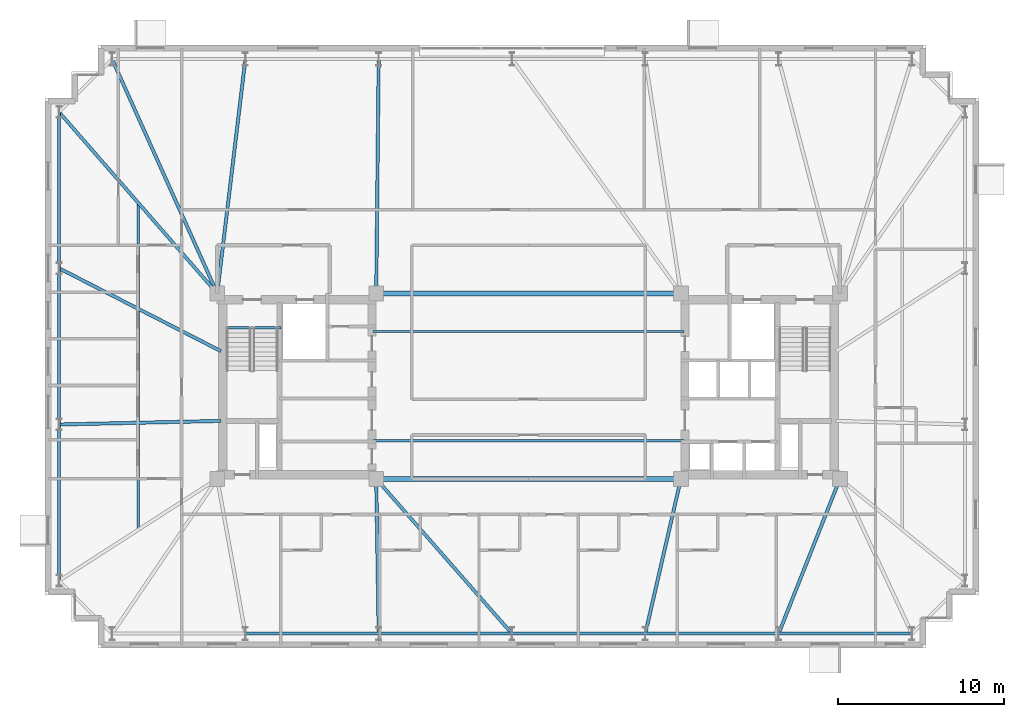
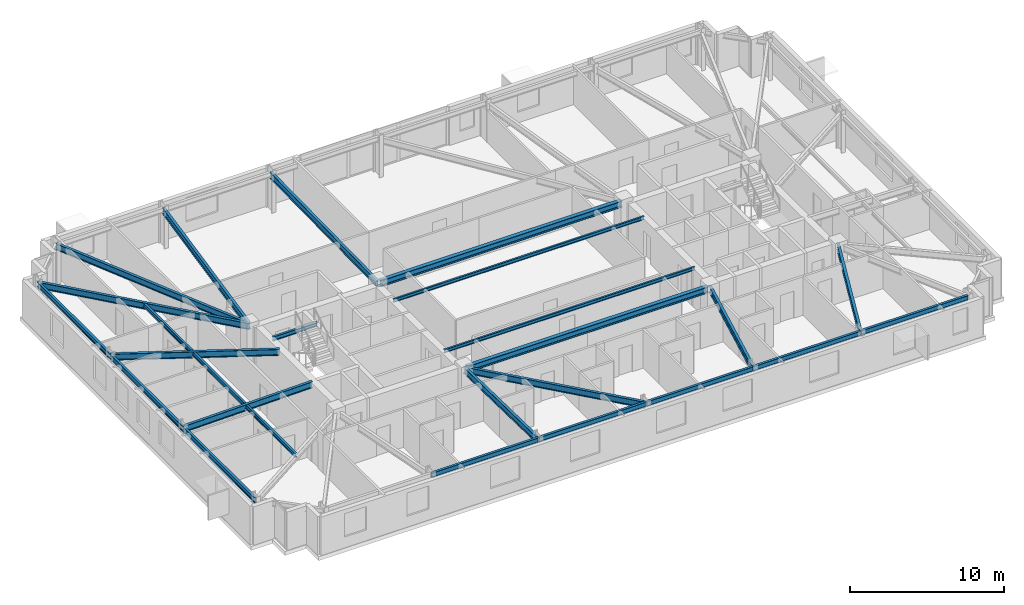
# One storey, part 4 of 18: 24 beams.
"""IFC4 building model written with IfcOpenShell, lengths in metres."""

import ifcopenshell
import ifcopenshell.guid

model = None  # the IFC model being written
_history = None  # IfcOwnerHistory: only IFC2X3 demands one
_inside = {}  # id of a spatial element -> (the spatial element, [elements in it])
_under = {}  # id of a project, library or spatial element -> (it, [spatial elements below it])
_declared = {}  # id of a project -> (the project, [libraries it declares])
_typed = {}  # id of a type object -> (the type object, [elements of that type])
_made_of = {}  # id of a material, layer set ... -> (it, [elements and type objects made of it])


def new_model(schema):
    """Start an empty IFC model of exactly this schema.

    Asked for "IFC4X3", IfcOpenShell would pick the latest addendum, in which some entities
    have other attributes; the version numbers below select the first issue.
    IFC2X3 requires an IfcOwnerHistory on every rooted entity: one is made here for all.
    """
    global model, _history
    if schema == "IFC4X3":
        model = ifcopenshell.file(schema_version=(4, 3, 0, 0))
    else:
        model = ifcopenshell.file(schema=schema)
    _inside.clear()
    _under.clear()
    _declared.clear()
    _typed.clear()
    _made_of.clear()
    _history = None
    if model.schema == "IFC2X3":
        org = make("IfcOrganization", Name="unknown")
        user = make(
            "IfcPersonAndOrganization",
            ThePerson=make("IfcPerson", FamilyName="unknown"),
            TheOrganization=org,
        )
        app = make(
            "IfcApplication",
            ApplicationDeveloper=org,
            Version="unknown",
            ApplicationFullName="unknown",
            ApplicationIdentifier="unknown",
        )
        _history = make(
            "IfcOwnerHistory",
            OwningUser=user,
            OwningApplication=app,
            ChangeAction="ADDED",
            CreationDate=0,
        )
    return model


def make(cls, **values):
    """One entity of the class cls with the attributes given. An attribute that is None is left unset."""
    return model.create_entity(
        cls, **{name: value for name, value in values.items() if value is not None}
    )


def rooted(cls, **values):
    """An entity with a GlobalId (a new one), such as an element, a storey or a relation."""
    return make(cls, GlobalId=ifcopenshell.guid.new(), OwnerHistory=_history, **values)


def si_unit(unit_type, name, prefix=None):
    """IfcSIUnit, for example si_unit("LENGTHUNIT", "METRE", prefix="MILLI")."""
    return make("IfcSIUnit", UnitType=unit_type, Prefix=prefix, Name=name)


def assignment(units):
    """IfcUnitAssignment: the units of a project."""
    return None if units is None else make("IfcUnitAssignment", Units=units)


def point(xyz):
    """IfcCartesianPoint."""
    return None if xyz is None else make("IfcCartesianPoint", Coordinates=xyz)


def direction(xyz):
    """IfcDirection."""
    return None if xyz is None else make("IfcDirection", DirectionRatios=xyz)


def frame(location, z_axis=None, x_axis=None):
    """IfcAxis2Placement3D, a coordinate frame: its origin and axes. An axis left out is left unset."""
    return make(
        "IfcAxis2Placement3D",
        Location=point(location),
        Axis=direction(z_axis),
        RefDirection=direction(x_axis),
    )


def frame_2d(location, x_axis=None):
    """IfcAxis2Placement2D, a coordinate frame in the plane: its origin and x axis."""
    return make(
        "IfcAxis2Placement2D", Location=point(location), RefDirection=direction(x_axis)
    )


def origin():
    """The frame at (0, 0, 0) with its axes left unset."""
    return frame((0.0, 0.0, 0.0))


def origin_2d():
    """The frame at (0, 0) in the plane with its x axis left unset."""
    return frame_2d((0.0, 0.0))


def place(relative_to, where):
    """IfcLocalPlacement: puts the frame where relative to a parent placement (None: the world)."""
    return make(
        "IfcLocalPlacement", PlacementRelTo=relative_to, RelativePlacement=where
    )


def context(
    kind, dimensions, precision=None, world=None, true_north=None, identifier=None
):
    """IfcGeometricRepresentationContext, for example the 3D "Model" context."""
    return make(
        "IfcGeometricRepresentationContext",
        ContextIdentifier=identifier,
        ContextType=kind,
        CoordinateSpaceDimension=dimensions,
        Precision=precision,
        WorldCoordinateSystem=world,
        TrueNorth=true_north,
    )


def subcontext(parent, identifier, kind, view, scale=None):
    """IfcGeometricRepresentationSubContext, for example "Body" below "Model"."""
    return make(
        "IfcGeometricRepresentationSubContext",
        ContextIdentifier=identifier,
        ContextType=kind,
        ParentContext=parent,
        TargetScale=scale,
        TargetView=view,
    )


def project(units=None, contexts=None):
    """IfcProject with its units and contexts."""
    return rooted(
        "IfcProject",
        Name="project",
        RepresentationContexts=contexts,
        UnitsInContext=assignment(units),
    )


def spatial(cls, under=None, at=None, **own):
    """A site, building, storey or space (cls), placed at a placement, below another one or the project."""
    s = rooted(cls, ObjectPlacement=at, **own)
    if under is not None:
        _under.setdefault(under.id(), (under, []))[1].append(s)
    return s


def profile(cls, at=None, kind="AREA", **sizes):
    """A parametric profile (cls). Its sizes go by their IFC names, for example OverallWidth=200.0."""
    return make(cls, ProfileType=kind, Position=at, **sizes)


def i_section(**sizes):
    """IfcIShapeProfileDef."""
    return profile("IfcIShapeProfileDef", **sizes)


def extrude(swept, where, along, depth):
    """IfcExtrudedAreaSolid: the profile swept, set in the frame where, extruded along a direction by depth."""
    return make(
        "IfcExtrudedAreaSolid",
        SweptArea=swept,
        Position=where,
        ExtrudedDirection=direction(along),
        Depth=depth,
    )


def shape(context_of_items, identifier, shape_type, items):
    """IfcShapeRepresentation: the items that make up one representation, for example the "Body"."""
    return make(
        "IfcShapeRepresentation",
        ContextOfItems=context_of_items,
        RepresentationIdentifier=identifier,
        RepresentationType=shape_type,
        Items=items,
    )


def material(Name=None, Category=None):
    """IfcMaterial."""
    return make("IfcMaterial", Name=Name, Category=Category)


def material_profile(
    of_material, cross_section, Name=None, Category=None, Priority=None
):
    """IfcMaterialProfile: a cross section and its material."""
    return make(
        "IfcMaterialProfile",
        Name=Name,
        Material=of_material,
        Profile=cross_section,
        Priority=Priority,
        Category=Category,
    )


def profile_set(profiles, Name=None, composite=None):
    """IfcMaterialProfileSet."""
    return make(
        "IfcMaterialProfileSet",
        Name=Name,
        MaterialProfiles=profiles,
        CompositeProfile=composite,
    )


def made_of(thing, what):
    """Note that an element or type object is made of a material, layer set ...; save() writes the relation."""
    if what is not None:
        _made_of.setdefault(what.id(), (what, []))[1].append(thing)
    return thing


def type_object(cls, material=None, **own):
    """A type object (cls), such as IfcWallType, which elements share."""
    return made_of(rooted(cls, **own), material)


def element(
    cls,
    number,
    at=None,
    inside=None,
    cuts=None,
    type_object=None,
    material=None,
    context=None,
    identifier="Body",
    shape_type=None,
    held_by="IfcProductDefinitionShape",
    body=None,
    shapes=None,
    **own,
):
    """One element of the class cls, such as IfcWall. Its Tag is "e" and its number.

    at: its placement. inside: the storey or other place that contains it. cuts: it is an
    opening in that element (IfcRelVoidsElement). A single representation is given by context,
    identifier, shape_type and body (its items); several are given by shapes. held_by: the class
    of the entity that holds the representations. save() writes the other relations.
    """
    e = rooted(cls, Tag="e%d" % number, ObjectPlacement=at, **own)
    if body is not None:
        shapes = [shape(context, identifier, shape_type, body)]
    if shapes is not None:
        e.Representation = make(held_by, Representations=shapes)
    if inside is not None:
        _inside.setdefault(inside.id(), (inside, []))[1].append(e)
    if cuts is not None:
        rooted(
            "IfcRelVoidsElement", RelatingBuildingElement=cuts, RelatedOpeningElement=e
        )
    if type_object is not None:
        _typed.setdefault(type_object.id(), (type_object, []))[1].append(e)
    return made_of(e, material)


def aggregate(whole, parts):
    """IfcRelAggregates: a whole, such as a stair, and the parts it consists of."""
    return rooted("IfcRelAggregates", RelatingObject=whole, RelatedObjects=parts)


def save(model, path):
    """Write the relations noted so far, then the file.

    IfcRelAggregates (storeys below a building ...), IfcRelContainedInSpatialStructure (elements
    in a storey), IfcRelDefinesByType, IfcRelAssociatesMaterial and IfcRelDeclares: one each for
    every whole, place, type object, material and project.
    """
    for whole, parts in _under.values():
        aggregate(whole, parts)
    for where, things in _inside.values():
        rooted(
            "IfcRelContainedInSpatialStructure",
            RelatedElements=things,
            RelatingStructure=where,
        )
    for kind, things in _typed.values():
        rooted("IfcRelDefinesByType", RelatedObjects=things, RelatingType=kind)
    for what, things in _made_of.values():
        rooted("IfcRelAssociatesMaterial", RelatedObjects=things, RelatingMaterial=what)
    for by, libraries in _declared.values():
        rooted("IfcRelDeclares", RelatingContext=by, RelatedDefinitions=libraries)
    model.write(path)


model = new_model("IFC4")

# Units and contexts
model_context = context("Model", 3, precision=1e-05, world=origin(), true_north=direction((0.0, 1.0)))
body_context = subcontext(model_context, "Body", "Model", "MODEL_VIEW")
ifc_project = project(units=[si_unit("LENGTHUNIT", "METRE"), si_unit("AREAUNIT", "SQUARE_METRE"), si_unit("VOLUMEUNIT", "CUBIC_METRE"), si_unit("PLANEANGLEUNIT", "RADIAN"), si_unit("MASSUNIT", "GRAM", prefix="KILO")], contexts=[model_context])

# Site, building, storey
site_placement = place(None, origin())
site = spatial("IfcSite", under=ifc_project, at=site_placement, CompositionType="ELEMENT")
building_placement = place(site_placement, origin())
building = spatial("IfcBuilding", under=site, at=building_placement, Name="Qobustan Lattice House", CompositionType="ELEMENT")
storey_placement = place(building_placement, frame((0.0, 0.0, 147.75)))
storey = spatial("IfcBuildingStorey", under=building, at=storey_placement, Name="L41", CompositionType="ELEMENT", Elevation=147.75)

# Beams
ifc_material_1 = material(Name="Steel S355", Category="steel")
ifc_material_profile_1 = material_profile(ifc_material_1, i_section(OverallWidth=0.300048828125, OverallDepth=0.5, WebThickness=0.014404296875, FlangeThickness=0.028076171875, FilletRadius=0.027099609375, at=origin_2d()), Name="HEB500")
ifc_profile_set_1 = profile_set([ifc_material_profile_1], Name="Steel S355")
beam_type_1 = type_object("IfcBeamType", Name="BM-CG-HEB500", PredefinedType="USERDEFINED", material=ifc_profile_set_1)
for number, where, z_axis, x_axis, name in (
    (1, (-9.050048828125, -5.60009765625, 2.7900390625), (1.0, 0.0, 0.0), (0.0, 1.0, 0.0), "L41 core spine girder CG-CS"),
    (2, (-9.050048828125, 5.60009765625, 2.7900390625), (1.0, 0.0, 0.0), (0.0, 1.0, 0.0), "L41 core spine girder CG-CN"),
):
    element("IfcBeam", number, at=place(storey_placement, frame(where, z_axis=z_axis, x_axis=x_axis)), inside=storey, type_object=beam_type_1, Name=name, ObjectType="GIRDER", PredefinedType="USERDEFINED", context=body_context, shape_type="SweptSolid", body=[
        extrude(i_section(OverallWidth=0.300048828125, OverallDepth=0.5, WebThickness=0.014404296875, FlangeThickness=0.028076171875, FilletRadius=0.027099609375, at=origin_2d()), origin(), (0.0, 0.0, 1.0), 18.10009765625),
    ])
ifc_material_2 = material(Name="Steel S355", Category="steel")
ifc_material_profile_2 = material_profile(ifc_material_2, i_section(OverallWidth=0.199951171875, OverallDepth=0.5, WebThickness=0.01025390625, FlangeThickness=0.01611328125, FilletRadius=0.02099609375, at=origin_2d()), Name="IPE500")
ifc_profile_set_2 = profile_set([ifc_material_profile_2], Name="Steel S355")
beam_type_2 = type_object("IfcBeamType", Name="BM-FLG-IPE500", PredefinedType="USERDEFINED", material=ifc_profile_set_2)
beam_1_placement = place(storey_placement, frame((-9.05029296875, -14.925048828125, 2.7900390625), z_axis=(-0.016063870849, 0.999870967702, 0.0), x_axis=(-0.999870967702, -0.016063870849, 0.0)))
element("IfcBeam", 3, at=beam_1_placement, inside=storey, type_object=beam_type_2, Name="L41 primary floor girder RAD-S3", ObjectType="GIRDER", PredefinedType="USERDEFINED", context=body_context, shape_type="SweptSolid", body=[
    extrude(i_section(OverallWidth=0.199951171875, OverallDepth=0.5, WebThickness=0.01025390625, FlangeThickness=0.01611328125, FilletRadius=0.02099609375, at=origin_2d()), origin(), (0.0, 0.0, 1.0), 9.30126953125),
])
beam_2_placement = place(storey_placement, frame((-1.0166015625, -14.93115234375, 2.7900390625), z_axis=(-0.659362380156, 0.751825279992, 0.0), x_axis=(-0.751825279992, -0.659362380156, 0.0)))
element("IfcBeam", 4, at=beam_2_placement, inside=storey, type_object=beam_type_2, Name="L41 primary floor girder RAD-S4", ObjectType="GIRDER", PredefinedType="USERDEFINED", context=body_context, shape_type="SweptSolid", body=[
    extrude(i_section(OverallWidth=0.199951171875, OverallDepth=0.5, WebThickness=0.01025390625, FlangeThickness=0.01611328125, FilletRadius=0.02099609375, at=origin_2d()), origin(), (0.0, 0.0, 1.0), 12.38623046875),
])
beam_3_placement = place(storey_placement, frame((7.0556640625, -14.925537109375, 2.7900390625), z_axis=(0.224091568854, 0.974568093449, 0.0), x_axis=(-0.974568093449, 0.224091568854, 0.0)))
element("IfcBeam", 5, at=beam_3_placement, inside=storey, type_object=beam_type_2, Name="L41 primary floor girder RAD-S5", ObjectType="GIRDER", PredefinedType="USERDEFINED", context=body_context, shape_type="SweptSolid", body=[
    extrude(i_section(OverallWidth=0.199951171875, OverallDepth=0.5, WebThickness=0.01025390625, FlangeThickness=0.01611328125, FilletRadius=0.02099609375, at=origin_2d()), origin(), (0.0, 0.0, 1.0), 9.543701171875),
])
beam_4_placement = place(storey_placement, frame((15.109130859375, -14.9267578125, 2.7900390625), z_axis=(0.367963628184, 0.929840184297, 0.0), x_axis=(-0.929840184297, 0.367963628184, 0.0)))
element("IfcBeam", 6, at=beam_4_placement, inside=storey, type_object=beam_type_2, Name="L41 primary floor girder RAD-S6", ObjectType="GIRDER", PredefinedType="USERDEFINED", context=body_context, shape_type="SweptSolid", body=[
    extrude(i_section(OverallWidth=0.199951171875, OverallDepth=0.5, WebThickness=0.01025390625, FlangeThickness=0.01611328125, FilletRadius=0.02099609375, at=origin_2d()), origin(), (0.0, 0.0, 1.0), 10.00537109375),
])
beam_5_placement = place(storey_placement, frame((-25.139892578125, 19.727294921875, 2.7900390625), z_axis=(0.409426782108, -0.912342978321, 0.0), x_axis=(0.912342978321, 0.409426782108, 0.0)))
element("IfcBeam", 7, at=beam_5_placement, inside=storey, type_object=beam_type_2, Name="L41 primary floor girder RAD-N7W", ObjectType="GIRDER", PredefinedType="USERDEFINED", context=body_context, shape_type="SweptSolid", body=[
    extrude(i_section(OverallWidth=0.199951171875, OverallDepth=0.5, WebThickness=0.01025390625, FlangeThickness=0.01611328125, FilletRadius=0.02099609375, at=origin_2d()), origin(), (0.0, 0.0, 1.0), 15.459716796875),
])
beam_6_placement = place(storey_placement, frame((-17.10302734375, 19.72509765625, 2.7900390625), z_axis=(-0.119287572963, -0.992859745854, 0.0), x_axis=(0.992859745854, -0.119287572963, 0.0)))
element("IfcBeam", 8, at=beam_6_placement, inside=storey, type_object=beam_type_2, Name="L41 primary floor girder RAD-N6", ObjectType="GIRDER", PredefinedType="USERDEFINED", context=body_context, shape_type="SweptSolid", body=[
    extrude(i_section(OverallWidth=0.199951171875, OverallDepth=0.5, WebThickness=0.01025390625, FlangeThickness=0.01611328125, FilletRadius=0.02099609375, at=origin_2d()), origin(), (0.0, 0.0, 1.0), 14.20166015625),
])
beam_7_placement = place(storey_placement, frame((-9.05029296875, 19.72509765625, 2.7900390625), z_axis=(-0.010596073732, -0.999943860035, 0.0), x_axis=(0.999943860035, -0.010596073732, 0.0)))
element("IfcBeam", 9, at=beam_7_placement, inside=storey, type_object=beam_type_2, Name="L41 primary floor girder RAD-N5", ObjectType="GIRDER", PredefinedType="USERDEFINED", context=body_context, shape_type="SweptSolid", body=[
    extrude(i_section(OverallWidth=0.199951171875, OverallDepth=0.5, WebThickness=0.01025390625, FlangeThickness=0.01611328125, FilletRadius=0.02099609375, at=origin_2d()), origin(), (0.0, 0.0, 1.0), 14.100830078125),
])
beam_8_placement = place(storey_placement, frame((-28.33349609375, 16.53125, 2.7900390625), z_axis=(0.657282573618, -0.75364422536, 0.0), x_axis=(0.75364422536, 0.657282573618, 0.0)))
element("IfcBeam", 10, at=beam_8_placement, inside=storey, type_object=beam_type_2, Name="L41 primary floor girder RAD-W1", ObjectType="GIRDER", PredefinedType="USERDEFINED", context=body_context, shape_type="SweptSolid", body=[
    extrude(i_section(OverallWidth=0.199951171875, OverallDepth=0.5, WebThickness=0.01025390625, FlangeThickness=0.01611328125, FilletRadius=0.02099609375, at=origin_2d()), origin(), (0.0, 0.0, 1.0), 14.4794921875),
])
beam_9_placement = place(storey_placement, frame((-28.32763671875, 7.105224609375, 2.7900390625), z_axis=(0.89014541584, -0.455676572426, 0.0), x_axis=(0.455676572426, 0.89014541584, 0.0)))
element("IfcBeam", 11, at=beam_9_placement, inside=storey, type_object=beam_type_2, Name="L41 primary floor girder RAD-W2", ObjectType="GIRDER", PredefinedType="USERDEFINED", context=body_context, shape_type="SweptSolid", body=[
    extrude(i_section(OverallWidth=0.199951171875, OverallDepth=0.5, WebThickness=0.01025390625, FlangeThickness=0.01611328125, FilletRadius=0.02099609375, at=origin_2d()), origin(), (0.0, 0.0, 1.0), 10.959228515625),
])
beam_10_placement = place(storey_placement, frame((-28.324951171875, -2.316162109375, 2.7900390625), z_axis=(0.999755655209, 0.022104974047, 0.0), x_axis=(-0.022104974047, 0.999755655209, 0.0)))
element("IfcBeam", 12, at=beam_10_placement, inside=storey, type_object=beam_type_2, Name="L41 primary floor girder RAD-W3", ObjectType="GIRDER", PredefinedType="USERDEFINED", context=body_context, shape_type="SweptSolid", body=[
    extrude(i_section(OverallWidth=0.199951171875, OverallDepth=0.5, WebThickness=0.01025390625, FlangeThickness=0.01611328125, FilletRadius=0.02099609375, at=origin_2d()), origin(), (0.0, 0.0, 1.0), 9.75244140625),
])
ifc_material_3 = material(Name="Steel S355", Category="steel")
ifc_material_profile_3 = material_profile(ifc_material_3, i_section(OverallWidth=0.135009765625, OverallDepth=0.27001953125, WebThickness=0.006591796875, FlangeThickness=0.01025390625, FilletRadius=0.014892578125, at=origin_2d()), Name="IPE270")
ifc_profile_set_3 = profile_set([ifc_material_profile_3], Name="Steel S355")
beam_type_3 = type_object("IfcBeamType", Name="BM-JST-IPE270", PredefinedType="JOIST", material=ifc_profile_set_3)
for number, where, z_axis, x_axis, name in (
    (13, (-9.39990234375, -3.300048828125, 2.905029296875), (1.0, 0.0, 0.0), (0.0, 1.0, 0.0), "L41 central span floor joist 1"),
    (14, (-9.39990234375, 3.300048828125, 2.905029296875), (1.0, 0.0, 0.0), (0.0, 1.0, 0.0), "L41 central span floor joist 2"),
):
    element("IfcBeam", number, at=place(storey_placement, frame(where, z_axis=z_axis, x_axis=x_axis)), inside=storey, type_object=beam_type_3, Name=name, PredefinedType="JOIST", context=body_context, shape_type="SweptSolid", body=[
        extrude(i_section(OverallWidth=0.135009765625, OverallDepth=0.27001953125, WebThickness=0.006591796875, FlangeThickness=0.01025390625, FilletRadius=0.014892578125, at=origin_2d()), origin(), (0.0, 0.0, 1.0), 18.7998046875),
    ])
ifc_material_4 = material(Name="Steel S355", Category="steel")
ifc_material_profile_4 = material_profile(ifc_material_4, i_section(OverallWidth=0.159912109375, OverallDepth=0.330078125, WebThickness=0.007568359375, FlangeThickness=0.011474609375, FilletRadius=0.01806640625, at=origin_2d()), Name="IPE330")
ifc_profile_set_4 = profile_set([ifc_material_profile_4], Name="Steel S355")
beam_type_4 = type_object("IfcBeamType", Name="BM-SEC-IPE330", PredefinedType="BEAM", material=ifc_profile_set_4)
beam_11_placement = place(storey_placement, frame((-23.574951171875, 11.074951171875, 2.875), z_axis=(0.0, -1.0, 0.0), x_axis=(1.0, 0.0, 0.0)))
element("IfcBeam", 15, at=beam_11_placement, inside=storey, type_object=beam_type_4, Name="L41 west wing secondary beam", PredefinedType="BEAM", context=body_context, shape_type="SweptSolid", body=[
    extrude(i_section(OverallWidth=0.159912109375, OverallDepth=0.330078125, WebThickness=0.007568359375, FlangeThickness=0.011474609375, FilletRadius=0.01806640625, at=origin_2d()), origin(), (0.0, 0.0, 1.0), 19.75),
])
ifc_material_5 = material(Name="Steel S355", Category="steel")
ifc_material_profile_5 = material_profile(ifc_material_5, i_section(OverallWidth=0.159912109375, OverallDepth=0.330078125, WebThickness=0.007568359375, FlangeThickness=0.011474609375, FilletRadius=0.01806640625, at=origin_2d()), Name="IPE330")
ifc_profile_set_5 = profile_set([ifc_material_profile_5], Name="Steel S355")
beam_type_5 = type_object("IfcBeamType", Name="BM-SPD-IPE330", PredefinedType="SPANDREL", material=ifc_profile_set_5)
beam_12_placement = place(storey_placement, frame((-18.300048828125, 3.52001953125, 2.875), z_axis=(1.0, 0.0, 0.0), x_axis=(0.0, 1.0, 0.0)))
element("IfcBeam", 16, at=beam_12_placement, inside=storey, type_object=beam_type_5, Name="L41 west stair landing trimmer beam", PredefinedType="SPANDREL", context=body_context, shape_type="SweptSolid", body=[
    extrude(i_section(OverallWidth=0.159912109375, OverallDepth=0.330078125, WebThickness=0.007568359375, FlangeThickness=0.011474609375, FilletRadius=0.01806640625, at=origin_2d()), origin(), (0.0, 0.0, 1.0), 3.35009765625),
])
ifc_material_6 = material(Name="Steel S355", Category="steel")
ifc_material_profile_6 = material_profile(ifc_material_6, i_section(OverallWidth=0.179931640625, OverallDepth=0.39990234375, WebThickness=0.008544921875, FlangeThickness=0.013427734375, FilletRadius=0.02099609375, at=origin_2d()), Name="IPE400")
ifc_profile_set_6 = profile_set([ifc_material_profile_6], Name="Steel S355")
beam_type_6 = type_object("IfcBeamType", Name="BM-SPD-IPE400", PredefinedType="SPANDREL", material=ifc_profile_set_6)
for number, where, z_axis, x_axis, name in (
    (17, (-17.074951171875, -14.949951171875, 2.840087890625), (1.0, 0.0, 0.0), (0.0, 1.0, 0.0), "L41 perimeter spandrel S2-S3"),
    (18, (-9.02490234375, -14.949951171875, 2.840087890625), (1.0, 0.0, 0.0), (0.0, 1.0, 0.0), "L41 perimeter spandrel S3-S4"),
    (19, (-0.97509765625, -14.949951171875, 2.840087890625), (1.0, 0.0, 0.0), (0.0, 1.0, 0.0), "L41 perimeter spandrel S4-S5"),
    (20, (7.074951171875, -14.949951171875, 2.840087890625), (1.0, 0.0, 0.0), (0.0, 1.0, 0.0), "L41 perimeter spandrel S5-S6"),
    (21, (15.125, -14.949951171875, 2.840087890625), (1.0, 0.0, 0.0), (0.0, 1.0, 0.0), "L41 perimeter spandrel S6-S7"),
):
    element("IfcBeam", number, at=place(storey_placement, frame(where, z_axis=z_axis, x_axis=x_axis)), inside=storey, type_object=beam_type_6, Name=name, PredefinedType="SPANDREL", context=body_context, shape_type="SweptSolid", body=[
        extrude(i_section(OverallWidth=0.179931640625, OverallDepth=0.39990234375, WebThickness=0.008544921875, FlangeThickness=0.013427734375, FilletRadius=0.02099609375, at=origin_2d()), origin(), (0.0, 0.0, 1.0), 8.0),
    ])
beam_13_placement = place(storey_placement, frame((-28.35009765625, 16.52490234375, 2.840087890625), z_axis=(0.0, -1.0, 0.0), x_axis=(1.0, 0.0, 0.0)))
element("IfcBeam", 22, at=beam_13_placement, inside=storey, type_object=beam_type_6, Name="L41 perimeter spandrel W1-W2", PredefinedType="SPANDREL", context=body_context, shape_type="SweptSolid", body=[
    extrude(i_section(OverallWidth=0.179931640625, OverallDepth=0.39990234375, WebThickness=0.008544921875, FlangeThickness=0.013427734375, FilletRadius=0.02099609375, at=origin_2d()), origin(), (0.0, 0.0, 1.0), 9.38330078125),
])
beam_14_placement = place(storey_placement, frame((-28.35009765625, 7.091796875, 2.840087890625), z_axis=(0.0, -1.0, 0.0), x_axis=(1.0, 0.0, 0.0)))
element("IfcBeam", 23, at=beam_14_placement, inside=storey, type_object=beam_type_6, Name="L41 perimeter spandrel W2-W3", PredefinedType="SPANDREL", context=body_context, shape_type="SweptSolid", body=[
    extrude(i_section(OverallWidth=0.179931640625, OverallDepth=0.39990234375, WebThickness=0.008544921875, FlangeThickness=0.013427734375, FilletRadius=0.02099609375, at=origin_2d()), origin(), (0.0, 0.0, 1.0), 9.383544921875),
])
beam_15_placement = place(storey_placement, frame((-28.35009765625, -2.341796875, 2.840087890625), z_axis=(0.0, -1.0, 0.0), x_axis=(1.0, 0.0, 0.0)))
element("IfcBeam", 24, at=beam_15_placement, inside=storey, type_object=beam_type_6, Name="L41 perimeter spandrel W3-W4", PredefinedType="SPANDREL", context=body_context, shape_type="SweptSolid", body=[
    extrude(i_section(OverallWidth=0.179931640625, OverallDepth=0.39990234375, WebThickness=0.008544921875, FlangeThickness=0.013427734375, FilletRadius=0.02099609375, at=origin_2d()), origin(), (0.0, 0.0, 1.0), 9.38330078125),
])

save(model, "model.ifc")
